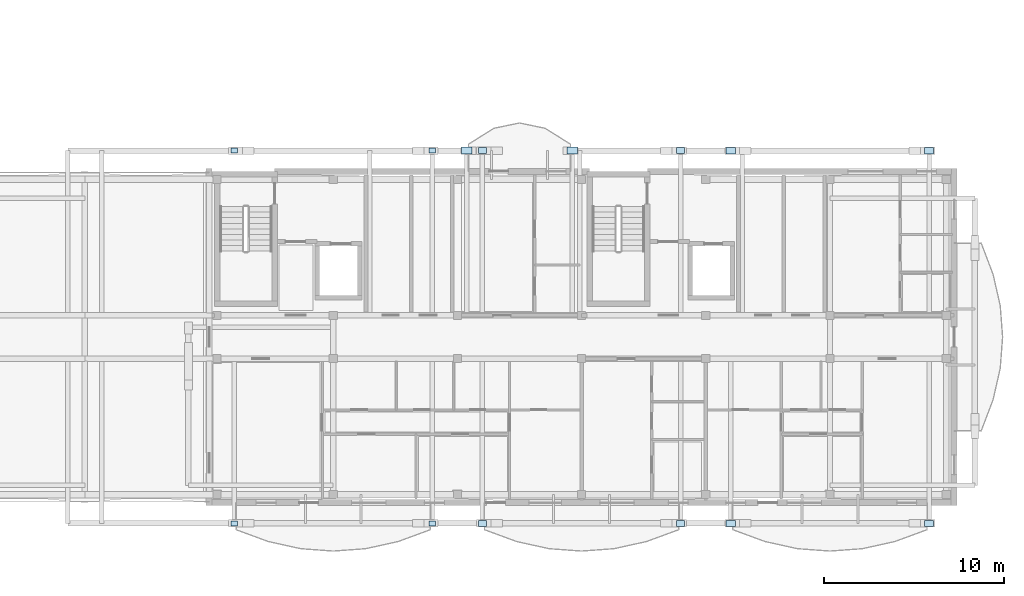
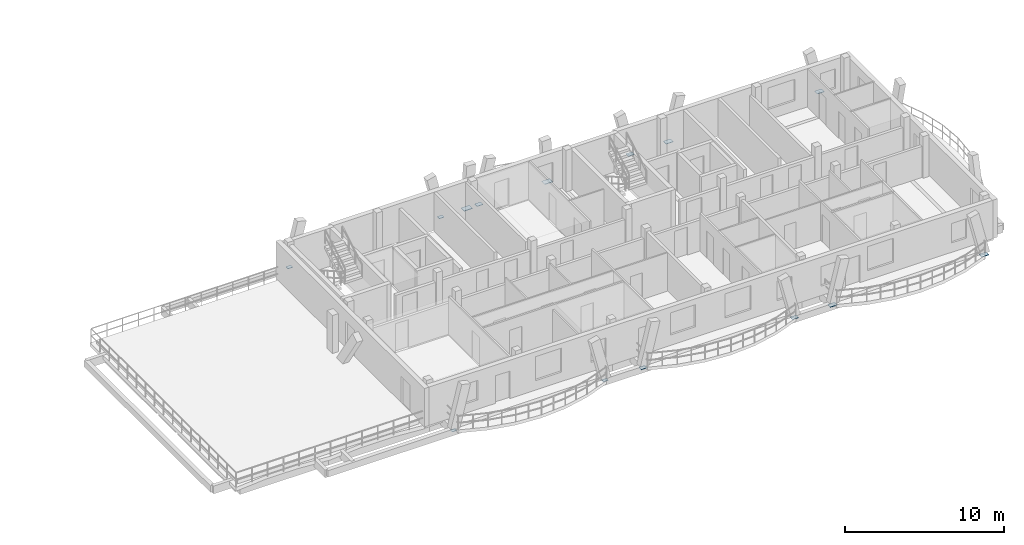
# One storey, part 13 of 48: 14 plates.
"""IFC4 building model written with IfcOpenShell, lengths in metres."""

import ifcopenshell
import ifcopenshell.guid

model = None  # the IFC model being written
_history = None  # IfcOwnerHistory: only IFC2X3 demands one
_inside = {}  # id of a spatial element -> (the spatial element, [elements in it])
_under = {}  # id of a project, library or spatial element -> (it, [spatial elements below it])
_declared = {}  # id of a project -> (the project, [libraries it declares])
_typed = {}  # id of a type object -> (the type object, [elements of that type])
_made_of = {}  # id of a material, layer set ... -> (it, [elements and type objects made of it])


def new_model(schema):
    """Start an empty IFC model of exactly this schema.

    Asked for "IFC4X3", IfcOpenShell would pick the latest addendum, in which some entities
    have other attributes; the version numbers below select the first issue.
    IFC2X3 requires an IfcOwnerHistory on every rooted entity: one is made here for all.
    """
    global model, _history
    if schema == "IFC4X3":
        model = ifcopenshell.file(schema_version=(4, 3, 0, 0))
    else:
        model = ifcopenshell.file(schema=schema)
    _inside.clear()
    _under.clear()
    _declared.clear()
    _typed.clear()
    _made_of.clear()
    _history = None
    if model.schema == "IFC2X3":
        org = make("IfcOrganization", Name="unknown")
        user = make(
            "IfcPersonAndOrganization",
            ThePerson=make("IfcPerson", FamilyName="unknown"),
            TheOrganization=org,
        )
        app = make(
            "IfcApplication",
            ApplicationDeveloper=org,
            Version="unknown",
            ApplicationFullName="unknown",
            ApplicationIdentifier="unknown",
        )
        _history = make(
            "IfcOwnerHistory",
            OwningUser=user,
            OwningApplication=app,
            ChangeAction="ADDED",
            CreationDate=0,
        )
    return model


def make(cls, **values):
    """One entity of the class cls with the attributes given. An attribute that is None is left unset."""
    return model.create_entity(
        cls, **{name: value for name, value in values.items() if value is not None}
    )


def rooted(cls, **values):
    """An entity with a GlobalId (a new one), such as an element, a storey or a relation."""
    return make(cls, GlobalId=ifcopenshell.guid.new(), OwnerHistory=_history, **values)


def si_unit(unit_type, name, prefix=None):
    """IfcSIUnit, for example si_unit("LENGTHUNIT", "METRE", prefix="MILLI")."""
    return make("IfcSIUnit", UnitType=unit_type, Prefix=prefix, Name=name)


def assignment(units):
    """IfcUnitAssignment: the units of a project."""
    return None if units is None else make("IfcUnitAssignment", Units=units)


def point(xyz):
    """IfcCartesianPoint."""
    return None if xyz is None else make("IfcCartesianPoint", Coordinates=xyz)


def direction(xyz):
    """IfcDirection."""
    return None if xyz is None else make("IfcDirection", DirectionRatios=xyz)


def frame(location, z_axis=None, x_axis=None):
    """IfcAxis2Placement3D, a coordinate frame: its origin and axes. An axis left out is left unset."""
    return make(
        "IfcAxis2Placement3D",
        Location=point(location),
        Axis=direction(z_axis),
        RefDirection=direction(x_axis),
    )


def frame_2d(location, x_axis=None):
    """IfcAxis2Placement2D, a coordinate frame in the plane: its origin and x axis."""
    return make(
        "IfcAxis2Placement2D", Location=point(location), RefDirection=direction(x_axis)
    )


def origin():
    """The frame at (0, 0, 0) with its axes left unset."""
    return frame((0.0, 0.0, 0.0))


def origin_2d():
    """The frame at (0, 0) in the plane with its x axis left unset."""
    return frame_2d((0.0, 0.0))


def place(relative_to, where):
    """IfcLocalPlacement: puts the frame where relative to a parent placement (None: the world)."""
    return make(
        "IfcLocalPlacement", PlacementRelTo=relative_to, RelativePlacement=where
    )


def context(
    kind, dimensions, precision=None, world=None, true_north=None, identifier=None
):
    """IfcGeometricRepresentationContext, for example the 3D "Model" context."""
    return make(
        "IfcGeometricRepresentationContext",
        ContextIdentifier=identifier,
        ContextType=kind,
        CoordinateSpaceDimension=dimensions,
        Precision=precision,
        WorldCoordinateSystem=world,
        TrueNorth=true_north,
    )


def subcontext(parent, identifier, kind, view, scale=None):
    """IfcGeometricRepresentationSubContext, for example "Body" below "Model"."""
    return make(
        "IfcGeometricRepresentationSubContext",
        ContextIdentifier=identifier,
        ContextType=kind,
        ParentContext=parent,
        TargetScale=scale,
        TargetView=view,
    )


def project(units=None, contexts=None):
    """IfcProject with its units and contexts."""
    return rooted(
        "IfcProject",
        Name="project",
        RepresentationContexts=contexts,
        UnitsInContext=assignment(units),
    )


def spatial(cls, under=None, at=None, **own):
    """A site, building, storey or space (cls), placed at a placement, below another one or the project."""
    s = rooted(cls, ObjectPlacement=at, **own)
    if under is not None:
        _under.setdefault(under.id(), (under, []))[1].append(s)
    return s


def profile(cls, at=None, kind="AREA", **sizes):
    """A parametric profile (cls). Its sizes go by their IFC names, for example OverallWidth=200.0."""
    return make(cls, ProfileType=kind, Position=at, **sizes)


def rectangle(**sizes):
    """IfcRectangleProfileDef."""
    return profile("IfcRectangleProfileDef", **sizes)


def extrude(swept, where, along, depth):
    """IfcExtrudedAreaSolid: the profile swept, set in the frame where, extruded along a direction by depth."""
    return make(
        "IfcExtrudedAreaSolid",
        SweptArea=swept,
        Position=where,
        ExtrudedDirection=direction(along),
        Depth=depth,
    )


def shape(context_of_items, identifier, shape_type, items):
    """IfcShapeRepresentation: the items that make up one representation, for example the "Body"."""
    return make(
        "IfcShapeRepresentation",
        ContextOfItems=context_of_items,
        RepresentationIdentifier=identifier,
        RepresentationType=shape_type,
        Items=items,
    )


def material(Name=None, Category=None):
    """IfcMaterial."""
    return make("IfcMaterial", Name=Name, Category=Category)


def layer(
    of_material, thickness, ventilated=None, Name=None, Category=None, Priority=None
):
    """IfcMaterialLayer: one layer of a wall or slab, of a material (None: an air gap)."""
    return make(
        "IfcMaterialLayer",
        Material=of_material,
        LayerThickness=thickness,
        IsVentilated=ventilated,
        Name=Name,
        Category=Category,
        Priority=Priority,
    )


def layer_set(layers, Name=None):
    """IfcMaterialLayerSet."""
    return make("IfcMaterialLayerSet", MaterialLayers=layers, LayerSetName=Name)


def made_of(thing, what):
    """Note that an element or type object is made of a material, layer set ...; save() writes the relation."""
    if what is not None:
        _made_of.setdefault(what.id(), (what, []))[1].append(thing)
    return thing


def type_object(cls, material=None, **own):
    """A type object (cls), such as IfcWallType, which elements share."""
    return made_of(rooted(cls, **own), material)


def element(
    cls,
    number,
    at=None,
    inside=None,
    cuts=None,
    type_object=None,
    material=None,
    context=None,
    identifier="Body",
    shape_type=None,
    held_by="IfcProductDefinitionShape",
    body=None,
    shapes=None,
    **own,
):
    """One element of the class cls, such as IfcWall. Its Tag is "e" and its number.

    at: its placement. inside: the storey or other place that contains it. cuts: it is an
    opening in that element (IfcRelVoidsElement). A single representation is given by context,
    identifier, shape_type and body (its items); several are given by shapes. held_by: the class
    of the entity that holds the representations. save() writes the other relations.
    """
    e = rooted(cls, Tag="e%d" % number, ObjectPlacement=at, **own)
    if body is not None:
        shapes = [shape(context, identifier, shape_type, body)]
    if shapes is not None:
        e.Representation = make(held_by, Representations=shapes)
    if inside is not None:
        _inside.setdefault(inside.id(), (inside, []))[1].append(e)
    if cuts is not None:
        rooted(
            "IfcRelVoidsElement", RelatingBuildingElement=cuts, RelatedOpeningElement=e
        )
    if type_object is not None:
        _typed.setdefault(type_object.id(), (type_object, []))[1].append(e)
    return made_of(e, material)


def aggregate(whole, parts):
    """IfcRelAggregates: a whole, such as a stair, and the parts it consists of."""
    return rooted("IfcRelAggregates", RelatingObject=whole, RelatedObjects=parts)


def save(model, path):
    """Write the relations noted so far, then the file.

    IfcRelAggregates (storeys below a building ...), IfcRelContainedInSpatialStructure (elements
    in a storey), IfcRelDefinesByType, IfcRelAssociatesMaterial and IfcRelDeclares: one each for
    every whole, place, type object, material and project.
    """
    for whole, parts in _under.values():
        aggregate(whole, parts)
    for where, things in _inside.values():
        rooted(
            "IfcRelContainedInSpatialStructure",
            RelatedElements=things,
            RelatingStructure=where,
        )
    for kind, things in _typed.values():
        rooted("IfcRelDefinesByType", RelatedObjects=things, RelatingType=kind)
    for what, things in _made_of.values():
        rooted("IfcRelAssociatesMaterial", RelatedObjects=things, RelatingMaterial=what)
    for by, libraries in _declared.values():
        rooted("IfcRelDeclares", RelatingContext=by, RelatedDefinitions=libraries)
    model.write(path)


model = new_model("IFC4")

# Units and contexts
model_context = context("Model", 3, precision=1e-05, world=origin(), true_north=direction((0.0, 1.0)))
body_context = subcontext(model_context, "Body", "Model", "MODEL_VIEW")
ifc_project = project(units=[si_unit("LENGTHUNIT", "METRE"), si_unit("AREAUNIT", "SQUARE_METRE"), si_unit("VOLUMEUNIT", "CUBIC_METRE"), si_unit("PLANEANGLEUNIT", "RADIAN"), si_unit("MASSUNIT", "GRAM", prefix="KILO")], contexts=[model_context])

# Site, building, storey
site_placement = place(None, origin())
site = spatial("IfcSite", under=ifc_project, at=site_placement, CompositionType="ELEMENT")
building_placement = place(site_placement, origin())
building = spatial("IfcBuilding", under=site, at=building_placement, Name="Zavelmont Quarter", CompositionType="ELEMENT")
storey_placement = place(building_placement, frame((0.0, 0.0, 17.60009765625)))
storey = spatial("IfcBuildingStorey", under=building, at=storey_placement, Name="L05", CompositionType="ELEMENT", Elevation=17.60009765625)

# Plates
ifc_material = material(Name="Steel S355", Category="steel")
ifc_layer_1 = layer(ifc_material, 0.02392578125)
ifc_layer_set_1 = layer_set([ifc_layer_1], Name="Steel S355")
plate_type_1 = type_object("IfcPlateType", Name="NP02", PredefinedType="SHEET", material=ifc_layer_set_1)
for number, where, z_axis, x_axis, name in (
    (1, (127.992919921875, -1.162109375, -0.212158203125), (0.0, 0.0, 1.0), (1.0, 0.0, 0.0), "L05 steel connection plate NP02 at 19/A"),
    (2, (139.007080078125, -1.162109375, -0.212158203125), (0.0, 0.0, 1.0), (1.0, 0.0, 0.0), "L05 steel connection plate NP02 at 21/A"),
    (3, (127.992919921875, 19.56201171875, -0.212158203125), (0.0, 0.0, 1.0), (1.0, 0.0, 0.0), "L05 steel connection plate NP02 at 19/D"),
    (4, (139.007080078125, 19.56201171875, -0.212158203125), (0.0, 0.0, 1.0), (1.0, 0.0, 0.0), "L05 steel connection plate NP02 at 21/D"),
):
    element("IfcPlate", number, at=place(storey_placement, frame(where, z_axis=z_axis, x_axis=x_axis)), inside=storey, type_object=plate_type_1, Name=name, PredefinedType="SHEET", context=body_context, shape_type="SweptSolid", body=[
        extrude(rectangle(XDim=0.360107421875, YDim=0.260009765625, at=origin_2d()), origin(), (0.0, 0.0, 1.0), 0.02392578125),
    ])
ifc_layer_2 = layer(ifc_material, 0.02490234375)
ifc_layer_set_2 = layer_set([ifc_layer_2], Name="Steel S355")
plate_type_2 = type_object("IfcPlateType", Name="NP03", PredefinedType="SHEET", material=ifc_layer_set_2)
for number, where, z_axis, x_axis, name in (
    (5, (141.79296875, -1.162109375, -0.212646484375), (0.0, 0.0, 1.0), (1.0, 0.0, 0.0), "L05 steel connection plate NP03 at 21/A"),
    (6, (152.806884765625, -1.162109375, -0.212646484375), (0.0, 0.0, 1.0), (1.0, 0.0, 0.0), "L05 steel connection plate NP03 at 23/A"),
    (7, (141.79296875, 19.56201171875, -0.212646484375), (0.0, 0.0, 1.0), (1.0, 0.0, 0.0), "L05 steel connection plate NP03 at 21/D"),
    (8, (152.806884765625, 19.56201171875, -0.212646484375), (0.0, 0.0, 1.0), (1.0, 0.0, 0.0), "L05 steel connection plate NP03 at 23/D"),
):
    element("IfcPlate", number, at=place(storey_placement, frame(where, z_axis=z_axis, x_axis=x_axis)), inside=storey, type_object=plate_type_2, Name=name, PredefinedType="SHEET", context=body_context, shape_type="SweptSolid", body=[
        extrude(rectangle(XDim=0.43994140625, YDim=0.320068359375, at=origin_2d()), origin(), (0.0, 0.0, 1.0), 0.02490234375),
    ])
ifc_layer_3 = layer(ifc_material, 0.028076171875)
ifc_layer_set_3 = layer_set([ifc_layer_3], Name="Steel S355")
plate_type_3 = type_object("IfcPlateType", Name="NP04", PredefinedType="SHEET", material=ifc_layer_set_3)
for number, where, z_axis, x_axis, name in (
    (9, (155.593017578125, -1.162109375, -0.21435546875), (0.0, 0.0, 1.0), (1.0, 0.0, 0.0), "L05 steel connection plate NP04 at 23/A"),
    (10, (166.60693359375, -1.162109375, -0.21435546875), (0.0, 0.0, 1.0), (1.0, 0.0, 0.0), "L05 steel connection plate NP04 at 25/A"),
    (11, (155.593017578125, 19.56201171875, -0.21435546875), (0.0, 0.0, 1.0), (1.0, 0.0, 0.0), "L05 steel connection plate NP04 at 23/D"),
    (12, (166.60693359375, 19.56201171875, -0.21435546875), (0.0, 0.0, 1.0), (1.0, 0.0, 0.0), "L05 steel connection plate NP04 at 25/D"),
):
    element("IfcPlate", number, at=place(storey_placement, frame(where, z_axis=z_axis, x_axis=x_axis)), inside=storey, type_object=plate_type_3, Name=name, PredefinedType="SHEET", context=body_context, shape_type="SweptSolid", body=[
        extrude(rectangle(XDim=0.52001953125, YDim=0.360107421875, at=origin_2d()), origin(), (0.0, 0.0, 1.0), 0.028076171875),
    ])
ifc_layer_4 = layer(ifc_material, 0.030029296875)
ifc_layer_set_4 = layer_set([ifc_layer_4], Name="Steel S355")
plate_type_4 = type_object("IfcPlateType", Name="NP05", PredefinedType="SHEET", material=ifc_layer_set_4)
for number, where, z_axis, x_axis, name in (
    (13, (140.92041015625, 19.56201171875, -0.21533203125), (0.0, 0.0, 1.0), (1.0, 0.0, 0.0), "L05 steel connection plate NP05 at 21/D"),
    (14, (146.77978515625, 19.56201171875, -0.21533203125), (0.0, 0.0, 1.0), (1.0, 0.0, 0.0), "L05 steel connection plate NP05 at 22/D"),
):
    element("IfcPlate", number, at=place(storey_placement, frame(where, z_axis=z_axis, x_axis=x_axis)), inside=storey, type_object=plate_type_4, Name=name, PredefinedType="SHEET", context=body_context, shape_type="SweptSolid", body=[
        extrude(rectangle(XDim=0.60009765625, YDim=0.39990234375, at=origin_2d()), origin(), (0.0, 0.0, 1.0), 0.030029296875),
    ])

save(model, "model.ifc")
